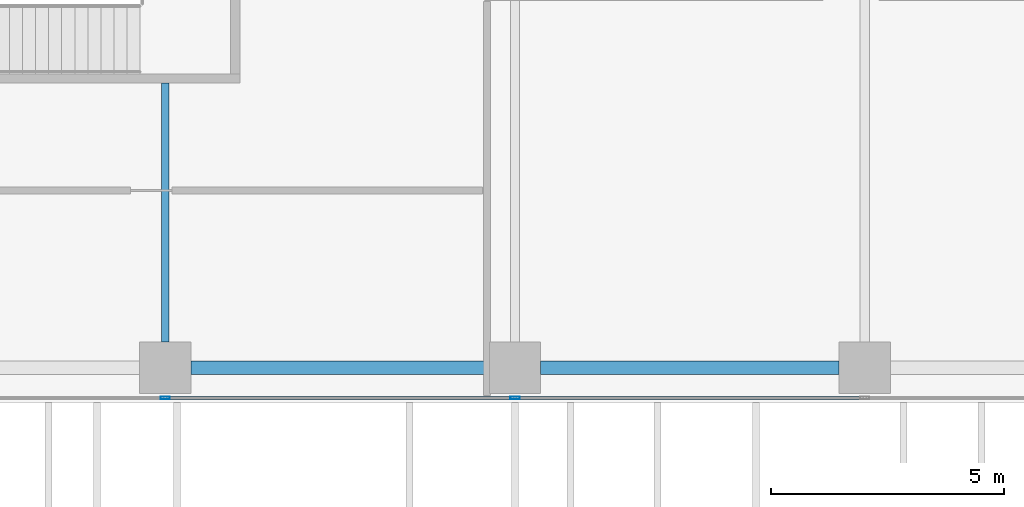
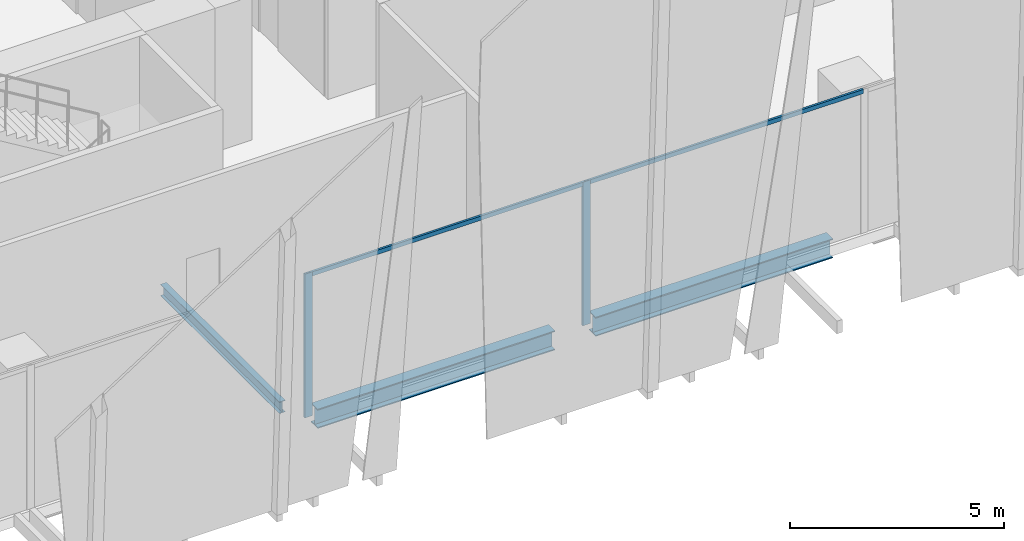
# One storey, part 5 of 36: 4 members, 3 beams, 1 element without a shape of its own.
"""IFC4 building model written with IfcOpenShell, lengths in metres."""

from ifc_helpers import new_model, si_unit, direction, frame, origin, origin_2d, place, context, subcontext, project, spatial, hollow_rectangle, i_section, extrude, source, transform, mapped, material, material_profile, profile_set, type_object, element, aggregate, save


model = new_model("IFC4")

# Units and contexts
model_context = context("Model", 3, precision=1e-05, world=origin(), true_north=direction((0.0, 1.0)))
body_context = subcontext(model_context, "Body", "Model", "MODEL_VIEW")
ifc_project = project(units=[si_unit("LENGTHUNIT", "METRE"), si_unit("AREAUNIT", "SQUARE_METRE"), si_unit("VOLUMEUNIT", "CUBIC_METRE"), si_unit("PLANEANGLEUNIT", "RADIAN"), si_unit("MASSUNIT", "GRAM", prefix="KILO")], contexts=[model_context])

# Site, building, storey
site_placement = place(None, origin())
site = spatial("IfcSite", under=ifc_project, at=site_placement, CompositionType="ELEMENT")
building_placement = place(site_placement, origin())
building = spatial("IfcBuilding", under=site, at=building_placement, Name="Khomas Fold Tower", CompositionType="ELEMENT")
storey_placement = place(building_placement, frame((0.0, 0.0, 141.10009765625)))
storey = spatial("IfcBuildingStorey", under=building, at=storey_placement, Name="L30", CompositionType="ELEMENT", Elevation=141.10009765625)

# Beams
ifc_material_1 = material(Name="Steel S355", Category="steel")
ifc_material_profile_1 = material_profile(ifc_material_1, i_section(OverallWidth=0.300048828125, OverallDepth=0.550048828125, WebThickness=0.014892578125, FlangeThickness=0.029052734375, at=origin_2d()), Name="HE 550 B")
ifc_profile_set_1 = profile_set([ifc_material_profile_1], Name="Steel S355")
beam_type_1 = type_object("IfcBeamType", Name="HE 550 B spandrel SB2", PredefinedType="SPANDREL", material=ifc_profile_set_1)
shared_shape_1 = source(origin(), body_context, "Body", "SweptSolid", [
    extrude(i_section(OverallWidth=0.300048828125, OverallDepth=0.550048828125, WebThickness=0.014892578125, FlangeThickness=0.029052734375, at=origin_2d()), origin(), (0.0, 0.0, 1.0), 6.39990234375),
])
for number, where, z_axis, x_axis, name in (
    (1, (20.050048828125, 2.25, -0.5751953125), (1.0, 0.0, 0.0), (0.0, 1.0, 0.0), "SB2"),
    (2, (27.550048828125, 2.25, -0.5751953125), (1.0, 0.0, 0.0), (0.0, 1.0, 0.0), "SB2"),
):
    element("IfcBeam", number, at=place(storey_placement, frame(where, z_axis=z_axis, x_axis=x_axis)), inside=storey, type_object=beam_type_1, Name=name, PredefinedType="SPANDREL", context=body_context, shape_type="MappedRepresentation", body=[
        mapped(shared_shape_1, transform((0.0, 0.0, 0.0))),
    ])
ifc_material_2 = material(Name="Steel S355", Category="steel")
ifc_material_profile_2 = material_profile(ifc_material_2, i_section(OverallWidth=0.159912109375, OverallDepth=0.330078125, WebThickness=0.007568359375, FlangeThickness=0.011474609375, at=origin_2d()), Name="IPE 330")
ifc_profile_set_2 = profile_set([ifc_material_profile_2], Name="Steel S355")
beam_type_2 = type_object("IfcBeamType", Name="IPE 330 beam JB1", PredefinedType="BEAM", material=ifc_profile_set_2)
shared_shape_2 = source(origin(), body_context, "Body", "SweptSolid", [
    extrude(i_section(OverallWidth=0.159912109375, OverallDepth=0.330078125, WebThickness=0.007568359375, FlangeThickness=0.011474609375, at=origin_2d()), origin(), (0.0, 0.0, 1.0), 5.550048828125),
])
beam_placement = place(storey_placement, frame((19.5, 2.800048828125, -0.465087890625), z_axis=(0.0, 1.0, 0.0), x_axis=(-1.0, 0.0, 0.0)))
element("IfcBeam", 3, at=beam_placement, inside=storey, type_object=beam_type_2, Name="JB1", PredefinedType="BEAM", context=body_context, shape_type="MappedRepresentation", body=[
    mapped(shared_shape_2, transform((0.0, 0.0, 0.0))),
])

# Curtain wall, members
ifc_material_3 = material(Name="Aluminium framed double glazing", Category="aluminium")
curtain_wall_type = type_object("IfcCurtainWallType", Name="SK-Unitised clear-glass wall, growing floors CW1", PredefinedType="NOTDEFINED", material=ifc_material_3)
curtain_wall_placement = place(storey_placement, origin())
curtain_wall = element("IfcCurtainWall", 4, at=curtain_wall_placement, inside=storey, type_object=curtain_wall_type, Name="CW1 run L30 00-0", PredefinedType="NOTDEFINED")
ifc_material_4 = material(Name="Aluminium", Category="aluminium")
ifc_material_profile_3 = material_profile(ifc_material_4, hollow_rectangle(XDim=0.06005859375, YDim=0.1201171875, WallThickness=0.00390625, at=origin_2d()), Name="SK-Unitised clear-glass wall, growing floors transom CW1-T")
ifc_profile_set_3 = profile_set([ifc_material_profile_3], Name="Aluminium")
member_type_1 = type_object("IfcMemberType", Name="SK-Unitised clear-glass wall, growing floors transom CW1-T", PredefinedType="USERDEFINED", material=ifc_profile_set_3)
shared_shape_3 = source(origin(), body_context, "Body", "SweptSolid", [
    extrude(hollow_rectangle(XDim=0.06005859375, YDim=0.1201171875, WallThickness=0.00390625, at=origin_2d()), origin(), (0.0, 0.0, 1.0), 7.43994140625),
])
member_1_placement = place(storey_placement, frame((19.530029296875, 1.60009765625, 4.039794921875), z_axis=(1.0, 0.0, 0.0), x_axis=(0.0, 1.0, 0.0)))
member_1 = element("IfcMember", 5, at=member_1_placement, type_object=member_type_1, Name="CW1 transom 4", ObjectType="TRANSOM", PredefinedType="USERDEFINED", context=body_context, shape_type="MappedRepresentation", body=[
    mapped(shared_shape_3, transform((0.0, 0.0, 0.0))),
])
member_2_placement = place(storey_placement, frame((27.030029296875, 1.60009765625, 4.039794921875), z_axis=(1.0, 0.0, 0.0), x_axis=(0.0, 1.0, 0.0)))
member_2 = element("IfcMember", 6, at=member_2_placement, type_object=member_type_1, Name="CW1 transom 5", ObjectType="TRANSOM", PredefinedType="USERDEFINED", context=body_context, shape_type="MappedRepresentation", body=[
    mapped(shared_shape_3, transform((0.0, 0.0, 0.0))),
])
ifc_material_5 = material(Name="Aluminium", Category="aluminium")
ifc_material_profile_4 = material_profile(ifc_material_5, hollow_rectangle(XDim=0.06005859375, YDim=0.199951171875, WallThickness=0.00390625, at=origin_2d()), Name="SK-Unitised clear-glass wall, growing floors mullion CW1-M")
ifc_profile_set_4 = profile_set([ifc_material_profile_4], Name="Aluminium")
member_type_2 = type_object("IfcMemberType", Name="SK-Unitised clear-glass wall, growing floors mullion CW1-M", PredefinedType="MULLION", material=ifc_profile_set_4)
shared_shape_4 = source(origin(), body_context, "Body", "SweptSolid", [
    extrude(hollow_rectangle(XDim=0.06005859375, YDim=0.199951171875, WallThickness=0.00390625, at=origin_2d()), origin(), (0.0, 0.0, 1.0), 4.099853515625),
])
member_3_placement = place(storey_placement, frame((19.5, 1.60009765625, 0.0), z_axis=(0.0, 0.0, 1.0), x_axis=(0.0, 1.0, 0.0)))
member_3 = element("IfcMember", 7, at=member_3_placement, type_object=member_type_2, Name="CW1 mullion 4", PredefinedType="MULLION", context=body_context, shape_type="MappedRepresentation", body=[
    mapped(shared_shape_4, transform((0.0, 0.0, 0.0))),
])
member_4_placement = place(storey_placement, frame((27.0, 1.60009765625, 0.0), z_axis=(0.0, 0.0, 1.0), x_axis=(0.0, 1.0, 0.0)))
member_4 = element("IfcMember", 8, at=member_4_placement, type_object=member_type_2, Name="CW1 mullion 5", PredefinedType="MULLION", context=body_context, shape_type="MappedRepresentation", body=[
    mapped(shared_shape_4, transform((0.0, 0.0, 0.0))),
])
aggregate(curtain_wall, [member_3, member_4, member_1, member_2])

save(model, "model.ifc")
